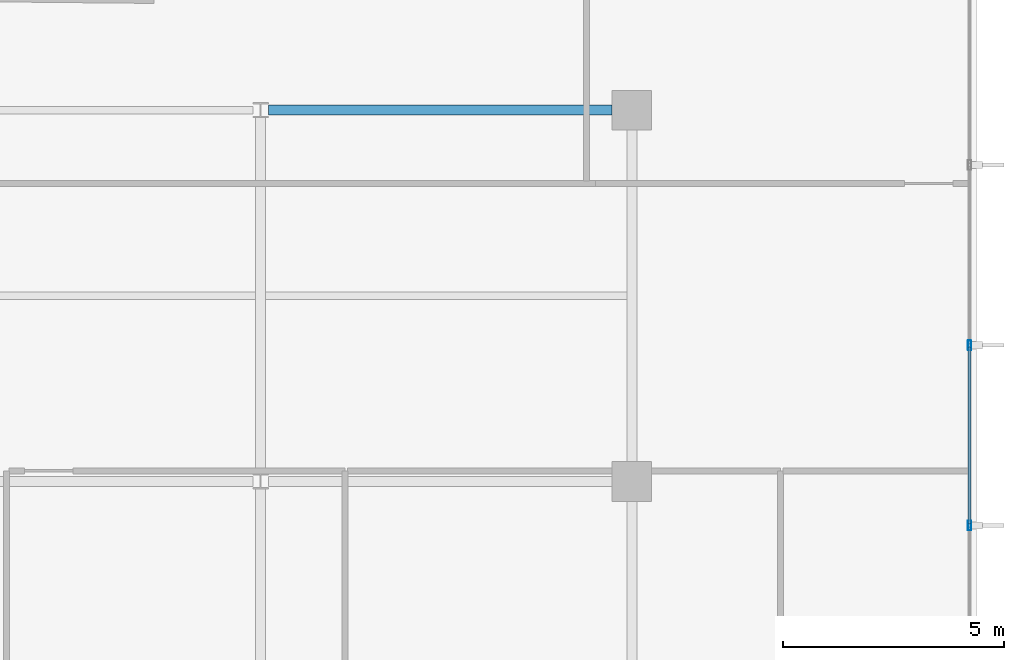
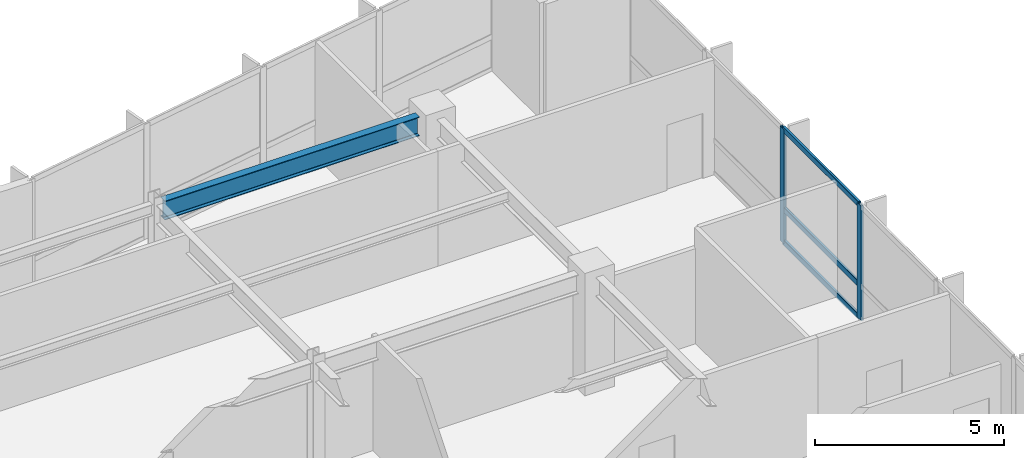
# One storey, part 8 of 20: 5 members, 1 beam, 1 element without a shape of its own.
"""IFC4 building model written with IfcOpenShell, lengths in metres."""

import ifcopenshell
import ifcopenshell.guid

model = None  # the IFC model being written
_history = None  # IfcOwnerHistory: only IFC2X3 demands one
_inside = {}  # id of a spatial element -> (the spatial element, [elements in it])
_under = {}  # id of a project, library or spatial element -> (it, [spatial elements below it])
_declared = {}  # id of a project -> (the project, [libraries it declares])
_typed = {}  # id of a type object -> (the type object, [elements of that type])
_made_of = {}  # id of a material, layer set ... -> (it, [elements and type objects made of it])


def new_model(schema):
    """Start an empty IFC model of exactly this schema.

    Asked for "IFC4X3", IfcOpenShell would pick the latest addendum, in which some entities
    have other attributes; the version numbers below select the first issue.
    IFC2X3 requires an IfcOwnerHistory on every rooted entity: one is made here for all.
    """
    global model, _history
    if schema == "IFC4X3":
        model = ifcopenshell.file(schema_version=(4, 3, 0, 0))
    else:
        model = ifcopenshell.file(schema=schema)
    _inside.clear()
    _under.clear()
    _declared.clear()
    _typed.clear()
    _made_of.clear()
    _history = None
    if model.schema == "IFC2X3":
        org = make("IfcOrganization", Name="unknown")
        user = make(
            "IfcPersonAndOrganization",
            ThePerson=make("IfcPerson", FamilyName="unknown"),
            TheOrganization=org,
        )
        app = make(
            "IfcApplication",
            ApplicationDeveloper=org,
            Version="unknown",
            ApplicationFullName="unknown",
            ApplicationIdentifier="unknown",
        )
        _history = make(
            "IfcOwnerHistory",
            OwningUser=user,
            OwningApplication=app,
            ChangeAction="ADDED",
            CreationDate=0,
        )
    return model


def make(cls, **values):
    """One entity of the class cls with the attributes given. An attribute that is None is left unset."""
    return model.create_entity(
        cls, **{name: value for name, value in values.items() if value is not None}
    )


def rooted(cls, **values):
    """An entity with a GlobalId (a new one), such as an element, a storey or a relation."""
    return make(cls, GlobalId=ifcopenshell.guid.new(), OwnerHistory=_history, **values)


def si_unit(unit_type, name, prefix=None):
    """IfcSIUnit, for example si_unit("LENGTHUNIT", "METRE", prefix="MILLI")."""
    return make("IfcSIUnit", UnitType=unit_type, Prefix=prefix, Name=name)


def assignment(units):
    """IfcUnitAssignment: the units of a project."""
    return None if units is None else make("IfcUnitAssignment", Units=units)


def point(xyz):
    """IfcCartesianPoint."""
    return None if xyz is None else make("IfcCartesianPoint", Coordinates=xyz)


def direction(xyz):
    """IfcDirection."""
    return None if xyz is None else make("IfcDirection", DirectionRatios=xyz)


def frame(location, z_axis=None, x_axis=None):
    """IfcAxis2Placement3D, a coordinate frame: its origin and axes. An axis left out is left unset."""
    return make(
        "IfcAxis2Placement3D",
        Location=point(location),
        Axis=direction(z_axis),
        RefDirection=direction(x_axis),
    )


def frame_2d(location, x_axis=None):
    """IfcAxis2Placement2D, a coordinate frame in the plane: its origin and x axis."""
    return make(
        "IfcAxis2Placement2D", Location=point(location), RefDirection=direction(x_axis)
    )


def origin():
    """The frame at (0, 0, 0) with its axes left unset."""
    return frame((0.0, 0.0, 0.0))


def origin_2d():
    """The frame at (0, 0) in the plane with its x axis left unset."""
    return frame_2d((0.0, 0.0))


def place(relative_to, where):
    """IfcLocalPlacement: puts the frame where relative to a parent placement (None: the world)."""
    return make(
        "IfcLocalPlacement", PlacementRelTo=relative_to, RelativePlacement=where
    )


def context(
    kind, dimensions, precision=None, world=None, true_north=None, identifier=None
):
    """IfcGeometricRepresentationContext, for example the 3D "Model" context."""
    return make(
        "IfcGeometricRepresentationContext",
        ContextIdentifier=identifier,
        ContextType=kind,
        CoordinateSpaceDimension=dimensions,
        Precision=precision,
        WorldCoordinateSystem=world,
        TrueNorth=true_north,
    )


def subcontext(parent, identifier, kind, view, scale=None):
    """IfcGeometricRepresentationSubContext, for example "Body" below "Model"."""
    return make(
        "IfcGeometricRepresentationSubContext",
        ContextIdentifier=identifier,
        ContextType=kind,
        ParentContext=parent,
        TargetScale=scale,
        TargetView=view,
    )


def project(units=None, contexts=None):
    """IfcProject with its units and contexts."""
    return rooted(
        "IfcProject",
        Name="project",
        RepresentationContexts=contexts,
        UnitsInContext=assignment(units),
    )


def spatial(cls, under=None, at=None, **own):
    """A site, building, storey or space (cls), placed at a placement, below another one or the project."""
    s = rooted(cls, ObjectPlacement=at, **own)
    if under is not None:
        _under.setdefault(under.id(), (under, []))[1].append(s)
    return s


def profile(cls, at=None, kind="AREA", **sizes):
    """A parametric profile (cls). Its sizes go by their IFC names, for example OverallWidth=200.0."""
    return make(cls, ProfileType=kind, Position=at, **sizes)


def hollow_rectangle(**sizes):
    """IfcRectangleHollowProfileDef."""
    return profile("IfcRectangleHollowProfileDef", **sizes)


def i_section(**sizes):
    """IfcIShapeProfileDef."""
    return profile("IfcIShapeProfileDef", **sizes)


def extrude(swept, where, along, depth):
    """IfcExtrudedAreaSolid: the profile swept, set in the frame where, extruded along a direction by depth."""
    return make(
        "IfcExtrudedAreaSolid",
        SweptArea=swept,
        Position=where,
        ExtrudedDirection=direction(along),
        Depth=depth,
    )


def shape(context_of_items, identifier, shape_type, items):
    """IfcShapeRepresentation: the items that make up one representation, for example the "Body"."""
    return make(
        "IfcShapeRepresentation",
        ContextOfItems=context_of_items,
        RepresentationIdentifier=identifier,
        RepresentationType=shape_type,
        Items=items,
    )


def material(Name=None, Category=None):
    """IfcMaterial."""
    return make("IfcMaterial", Name=Name, Category=Category)


def layer(
    of_material, thickness, ventilated=None, Name=None, Category=None, Priority=None
):
    """IfcMaterialLayer: one layer of a wall or slab, of a material (None: an air gap)."""
    return make(
        "IfcMaterialLayer",
        Material=of_material,
        LayerThickness=thickness,
        IsVentilated=ventilated,
        Name=Name,
        Category=Category,
        Priority=Priority,
    )


def layer_set(layers, Name=None):
    """IfcMaterialLayerSet."""
    return make("IfcMaterialLayerSet", MaterialLayers=layers, LayerSetName=Name)


def material_profile(
    of_material, cross_section, Name=None, Category=None, Priority=None
):
    """IfcMaterialProfile: a cross section and its material."""
    return make(
        "IfcMaterialProfile",
        Name=Name,
        Material=of_material,
        Profile=cross_section,
        Priority=Priority,
        Category=Category,
    )


def profile_set(profiles, Name=None, composite=None):
    """IfcMaterialProfileSet."""
    return make(
        "IfcMaterialProfileSet",
        Name=Name,
        MaterialProfiles=profiles,
        CompositeProfile=composite,
    )


def made_of(thing, what):
    """Note that an element or type object is made of a material, layer set ...; save() writes the relation."""
    if what is not None:
        _made_of.setdefault(what.id(), (what, []))[1].append(thing)
    return thing


def type_object(cls, material=None, **own):
    """A type object (cls), such as IfcWallType, which elements share."""
    return made_of(rooted(cls, **own), material)


def element(
    cls,
    number,
    at=None,
    inside=None,
    cuts=None,
    type_object=None,
    material=None,
    context=None,
    identifier="Body",
    shape_type=None,
    held_by="IfcProductDefinitionShape",
    body=None,
    shapes=None,
    **own,
):
    """One element of the class cls, such as IfcWall. Its Tag is "e" and its number.

    at: its placement. inside: the storey or other place that contains it. cuts: it is an
    opening in that element (IfcRelVoidsElement). A single representation is given by context,
    identifier, shape_type and body (its items); several are given by shapes. held_by: the class
    of the entity that holds the representations. save() writes the other relations.
    """
    e = rooted(cls, Tag="e%d" % number, ObjectPlacement=at, **own)
    if body is not None:
        shapes = [shape(context, identifier, shape_type, body)]
    if shapes is not None:
        e.Representation = make(held_by, Representations=shapes)
    if inside is not None:
        _inside.setdefault(inside.id(), (inside, []))[1].append(e)
    if cuts is not None:
        rooted(
            "IfcRelVoidsElement", RelatingBuildingElement=cuts, RelatedOpeningElement=e
        )
    if type_object is not None:
        _typed.setdefault(type_object.id(), (type_object, []))[1].append(e)
    return made_of(e, material)


def aggregate(whole, parts):
    """IfcRelAggregates: a whole, such as a stair, and the parts it consists of."""
    return rooted("IfcRelAggregates", RelatingObject=whole, RelatedObjects=parts)


def save(model, path):
    """Write the relations noted so far, then the file.

    IfcRelAggregates (storeys below a building ...), IfcRelContainedInSpatialStructure (elements
    in a storey), IfcRelDefinesByType, IfcRelAssociatesMaterial and IfcRelDeclares: one each for
    every whole, place, type object, material and project.
    """
    for whole, parts in _under.values():
        aggregate(whole, parts)
    for where, things in _inside.values():
        rooted(
            "IfcRelContainedInSpatialStructure",
            RelatedElements=things,
            RelatingStructure=where,
        )
    for kind, things in _typed.values():
        rooted("IfcRelDefinesByType", RelatedObjects=things, RelatingType=kind)
    for what, things in _made_of.values():
        rooted("IfcRelAssociatesMaterial", RelatedObjects=things, RelatingMaterial=what)
    for by, libraries in _declared.values():
        rooted("IfcRelDeclares", RelatingContext=by, RelatedDefinitions=libraries)
    model.write(path)


model = new_model("IFC4")

# Units and contexts
model_context = context("Model", 3, precision=1e-05, world=origin(), true_north=direction((0.0, 1.0)))
body_context = subcontext(model_context, "Body", "Model", "MODEL_VIEW")
ifc_project = project(units=[si_unit("LENGTHUNIT", "METRE"), si_unit("AREAUNIT", "SQUARE_METRE"), si_unit("VOLUMEUNIT", "CUBIC_METRE"), si_unit("PLANEANGLEUNIT", "RADIAN"), si_unit("MASSUNIT", "GRAM", prefix="KILO")], contexts=[model_context])

# Site, building, storey
site_placement = place(None, origin())
site = spatial("IfcSite", under=ifc_project, at=site_placement, CompositionType="ELEMENT")
building_placement = place(site_placement, origin())
building = spatial("IfcBuilding", under=site, at=building_placement, Name="Varnakote Quay Hospital", CompositionType="ELEMENT")
storey_placement = place(building_placement, frame((0.0, 0.0, 46.199951171875)))
storey = spatial("IfcBuildingStorey", under=building, at=storey_placement, Name="L11", CompositionType="ELEMENT", Elevation=46.199951171875)

# Beam
ifc_material_1 = material(Name="Structural steel AS/NZS 3679.1 Grade 350 L0 (fy 340 MPa)", Category="steel")
ifc_material_profile_1 = material_profile(ifc_material_1, i_section(OverallWidth=0.22900390625, OverallDepth=0.612060546875, WebThickness=0.011962890625, FlangeThickness=0.01953125, FilletRadius=0.013916015625, at=origin_2d()), Name="610UB125")
ifc_profile_set_1 = profile_set([ifc_material_profile_1], Name="Structural steel AS/NZS 3679.1 Grade 350 L0 (fy 340 MPa)")
beam_type = type_object("IfcBeamType", Name="BM-STL-610UB125", PredefinedType="BEAM", material=ifc_profile_set_1)
beam_placement = place(storey_placement, frame((42.175048828125, 28.800048828125, 3.404052734375), z_axis=(1.0, 0.0, 0.0), x_axis=(0.0, 1.0, 0.0)))
element("IfcBeam", 1, at=beam_placement, inside=storey, type_object=beam_type, Name="L11 Primary Floor Beam", PredefinedType="BEAM", context=body_context, shape_type="SweptSolid", body=[
    extrude(i_section(OverallWidth=0.22900390625, OverallDepth=0.612060546875, WebThickness=0.011962890625, FlangeThickness=0.01953125, FilletRadius=0.013916015625, at=origin_2d()), origin(), (0.0, 0.0, 1.0), 7.77490234375),
])

# Curtain wall, members
ifc_material_2 = material(Name="Anodised aluminium 6063-T6 Bronze", Category="aluminium")
ifc_layer = layer(ifc_material_2, 0.18994140625)
ifc_layer_set = layer_set([ifc_layer], Name="Anodised aluminium 6063-T6 Bronze")
curtain_wall_type = type_object("IfcCurtainWallType", Name="CW-SYS-2", PredefinedType="NOTDEFINED", material=ifc_layer_set)
curtain_wall_placement = place(storey_placement, origin())
curtain_wall = element("IfcCurtainWall", 2, at=curtain_wall_placement, inside=storey, type_object=curtain_wall_type, Name="L11 Unitised Bronze Curtain Wall 1", PredefinedType="NOTDEFINED")
ifc_material_3 = material(Name="Anodised aluminium 6063-T6 Bronze", Category="aluminium")
ifc_material_profile_2 = material_profile(ifc_material_3, hollow_rectangle(XDim=0.074951171875, YDim=0.219970703125, WallThickness=0.00439453125, InnerFilletRadius=0.00439453125, OuterFilletRadius=0.009033203125, at=origin_2d()), Name="CW-MULL-220x75")
ifc_profile_set_2 = profile_set([ifc_material_profile_2], Name="Anodised aluminium 6063-T6 Bronze")
member_type_1 = type_object("IfcMemberType", Name="CW-MULL-220x75", PredefinedType="MULLION", material=ifc_profile_set_2)
member_1_placement = place(storey_placement, frame((58.0400390625, 19.39990234375, 0.0), z_axis=(0.0, 0.0, 1.0), x_axis=(-1.0, 0.0, 0.0)))
member_1 = element("IfcMember", 3, at=member_1_placement, type_object=member_type_1, Name="-2-L11-1 mullion 4", PredefinedType="MULLION", context=body_context, shape_type="SweptSolid", body=[
    extrude(hollow_rectangle(XDim=0.074951171875, YDim=0.219970703125, WallThickness=0.00439453125, InnerFilletRadius=0.00439453125, OuterFilletRadius=0.009033203125, at=origin_2d()), origin(), (0.0, 0.0, 1.0), 3.7099609375),
])
member_2_placement = place(storey_placement, frame((58.0400390625, 23.47998046875, 0.0), z_axis=(0.0, 0.0, 1.0), x_axis=(-1.0, 0.0, 0.0)))
member_2 = element("IfcMember", 4, at=member_2_placement, type_object=member_type_1, Name="-2-L11-1 mullion 5", PredefinedType="MULLION", context=body_context, shape_type="SweptSolid", body=[
    extrude(hollow_rectangle(XDim=0.074951171875, YDim=0.219970703125, WallThickness=0.00439453125, InnerFilletRadius=0.00439453125, OuterFilletRadius=0.009033203125, at=origin_2d()), origin(), (0.0, 0.0, 1.0), 3.7099609375),
])
ifc_material_4 = material(Name="Anodised aluminium 6063-T6 Bronze", Category="aluminium")
ifc_material_profile_3 = material_profile(ifc_material_4, hollow_rectangle(XDim=0.074951171875, YDim=0.179931640625, WallThickness=0.004150390625, InnerFilletRadius=0.004150390625, OuterFilletRadius=0.00830078125, at=origin_2d()), Name="CW-TRAN-180x75")
ifc_profile_set_3 = profile_set([ifc_material_profile_3], Name="Anodised aluminium 6063-T6 Bronze")
member_type_2 = type_object("IfcMemberType", Name="CW-TRAN-180x75", PredefinedType="USERDEFINED", material=ifc_profile_set_3)
member_3_placement = place(storey_placement, frame((58.0400390625, 19.4375, 0.03759765625), z_axis=(0.0, 1.0, 0.0), x_axis=(-1.0, 0.0, 0.0)))
member_3 = element("IfcMember", 5, at=member_3_placement, type_object=member_type_2, Name="-2-L11-1 transom 4.1", ObjectType="TRANSOM", PredefinedType="USERDEFINED", context=body_context, shape_type="SweptSolid", body=[
    extrude(hollow_rectangle(XDim=0.074951171875, YDim=0.179931640625, WallThickness=0.004150390625, InnerFilletRadius=0.004150390625, OuterFilletRadius=0.00830078125, at=origin_2d()), origin(), (0.0, 0.0, 1.0), 4.0048828125),
])
member_4_placement = place(storey_placement, frame((58.0400390625, 19.4375, 1.10009765625), z_axis=(0.0, 1.0, 0.0), x_axis=(-1.0, 0.0, 0.0)))
member_4 = element("IfcMember", 6, at=member_4_placement, type_object=member_type_2, Name="-2-L11-1 transom 4.2", ObjectType="TRANSOM", PredefinedType="USERDEFINED", context=body_context, shape_type="SweptSolid", body=[
    extrude(hollow_rectangle(XDim=0.074951171875, YDim=0.179931640625, WallThickness=0.004150390625, InnerFilletRadius=0.004150390625, OuterFilletRadius=0.00830078125, at=origin_2d()), origin(), (0.0, 0.0, 1.0), 4.0048828125),
])
member_5_placement = place(storey_placement, frame((58.0400390625, 19.4375, 3.672607421875), z_axis=(0.0, 1.0, 0.0), x_axis=(-1.0, 0.0, 0.0)))
member_5 = element("IfcMember", 7, at=member_5_placement, type_object=member_type_2, Name="-2-L11-1 transom 4.3", ObjectType="TRANSOM", PredefinedType="USERDEFINED", context=body_context, shape_type="SweptSolid", body=[
    extrude(hollow_rectangle(XDim=0.074951171875, YDim=0.179931640625, WallThickness=0.004150390625, InnerFilletRadius=0.004150390625, OuterFilletRadius=0.00830078125, at=origin_2d()), origin(), (0.0, 0.0, 1.0), 4.0048828125),
])
aggregate(curtain_wall, [member_1, member_2, member_3, member_4, member_5])

save(model, "model.ifc")
